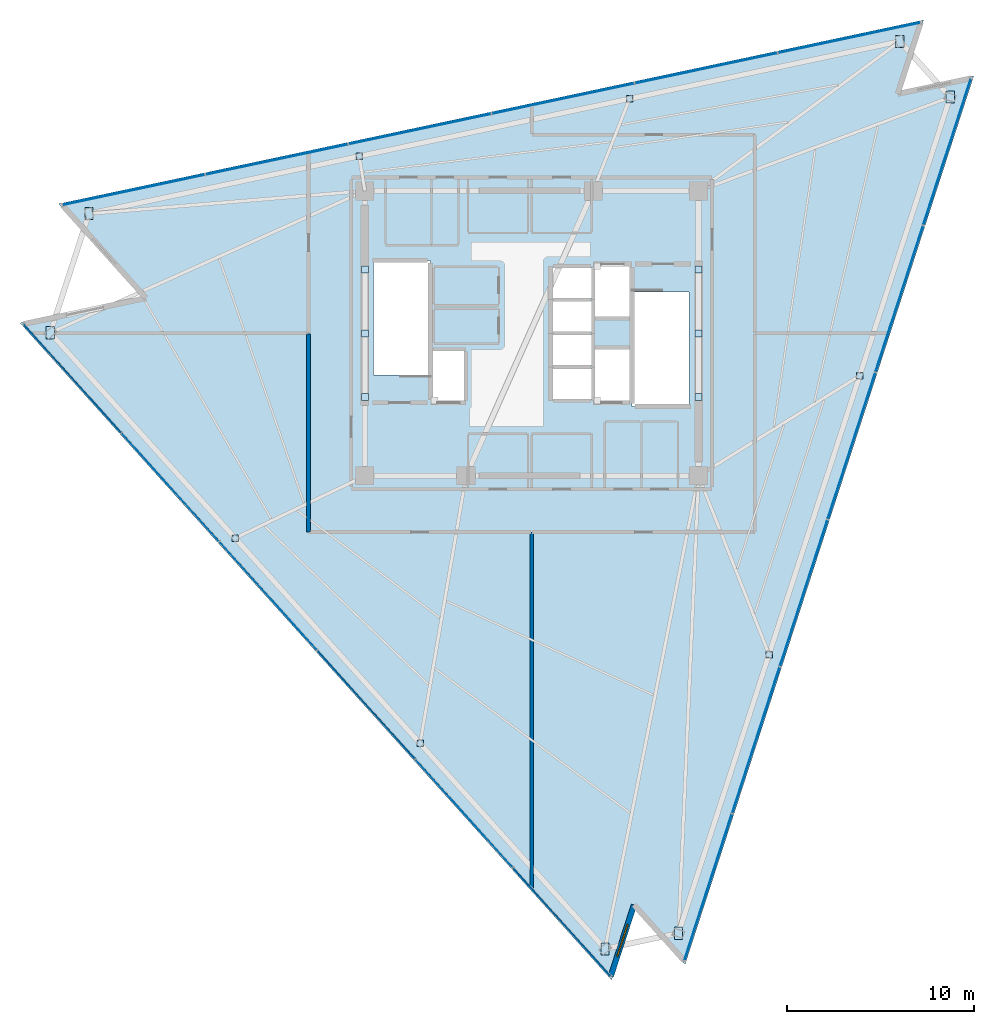
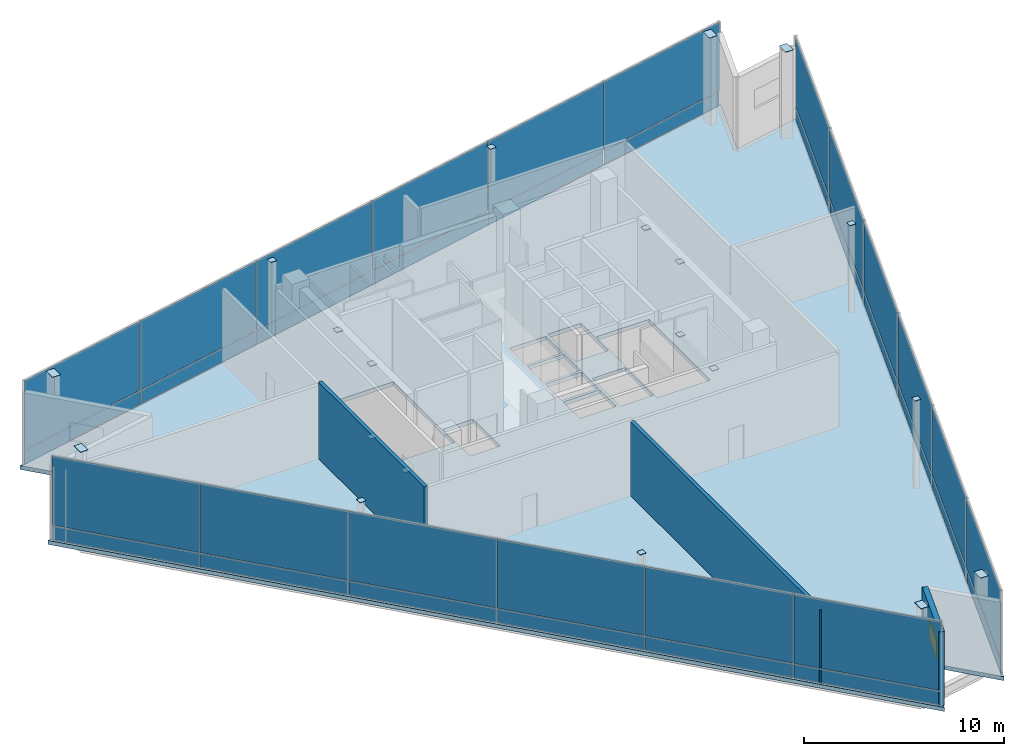
# One storey, part 10 of 14: 56 plates, 3 walls, 1 slab, 1 window, 1 opening, 3 elements without a shape of their own.
"""IFC4 building model written with IfcOpenShell, lengths in metres."""

from ifc_helpers import new_model, si_unit, direction, frame, frame_2d, origin, origin_2d, place, context, subcontext, project, spatial, polyline, rectangle, outline, extrude, material, layer, layer_set, type_object, element, fill, aggregate, save


model = new_model("IFC4")

# Units and contexts
model_context = context("Model", 3, precision=1e-05, world=origin(), true_north=direction((0.0, 1.0)))
body_context = subcontext(model_context, "Body", "Model", "MODEL_VIEW")
ifc_project = project(units=[si_unit("LENGTHUNIT", "METRE"), si_unit("AREAUNIT", "SQUARE_METRE"), si_unit("VOLUMEUNIT", "CUBIC_METRE"), si_unit("PLANEANGLEUNIT", "RADIAN"), si_unit("MASSUNIT", "GRAM", prefix="KILO")], contexts=[model_context])

# Site, building, storey
site_placement = place(None, origin())
site = spatial("IfcSite", under=ifc_project, at=site_placement, CompositionType="ELEMENT")
building_placement = place(site_placement, origin())
building = spatial("IfcBuilding", under=site, at=building_placement, Name="Tharavind Bronze Gate", CompositionType="ELEMENT")
storey_placement = place(building_placement, frame((0.0, 0.0, 310.85009765625)))
storey = spatial("IfcBuildingStorey", under=building, at=storey_placement, Name="L80", CompositionType="ELEMENT", Elevation=310.85009765625)

# Curtain wall, plates
ifc_material_1 = material(Name="Anodised Bronze Aluminium", Category="aluminium")
ifc_layer_1 = layer(ifc_material_1, 0.219970703125)
ifc_layer_set_1 = layer_set([ifc_layer_1], Name="Anodised Bronze Aluminium")
curtain_wall_type = type_object("IfcCurtainWallType", Name="UNITISED CURTAIN WALL CROWN", PredefinedType="USERDEFINED", material=ifc_layer_set_1)
curtain_wall_1_placement = place(storey_placement, origin())
curtain_wall_1 = element("IfcCurtainWall", 1, at=curtain_wall_1_placement, inside=storey, type_object=curtain_wall_type, Name="L80 unitised curtain wall crown CW-L80-S1", ObjectType="UNITISED CURTAIN WALL", PredefinedType="USERDEFINED")
ifc_material_2 = material(Name="Patinated Bronze Alloy Sheet", Category="bronze")
ifc_layer_2 = layer(ifc_material_2, 0.01611328125)
ifc_layer_set_2 = layer_set([ifc_layer_2], Name="Patinated Bronze Alloy Sheet")
plate_type_1 = type_object("IfcPlateType", Name="BRONZE SPANDREL CLADDING PANEL 16", PredefinedType="CURTAIN_PANEL", material=ifc_layer_set_2)
plate_1_placement = place(storey_placement, frame((-24.494873046875, -2.404052734375, 0.0263671875), z_axis=(0.0, 0.0, 1.0), x_axis=(0.669130606359, -0.743144825477, 0.0)))
plate_1 = element("IfcPlate", 2, at=plate_1_placement, type_object=plate_type_1, Name="CW-L80-S1 bronze spandrel panel 1", PredefinedType="CURTAIN_PANEL", context=body_context, shape_type="SweptSolid", body=[
    extrude(rectangle(XDim=7.749755859375, YDim=0.01611328125, at=origin_2d()), origin(), (0.0, 0.0, 1.0), 0.846923828125),
])
plate_2_placement = place(storey_placement, frame((-19.273681640625, -8.20263671875, 0.0263671875), z_axis=(0.0, 0.0, 1.0), x_axis=(0.669130606359, -0.743144825477, 0.0)))
plate_2 = element("IfcPlate", 3, at=plate_2_placement, type_object=plate_type_1, Name="CW-L80-S1 bronze spandrel panel 2", PredefinedType="CURTAIN_PANEL", context=body_context, shape_type="SweptSolid", body=[
    extrude(rectangle(XDim=7.749755859375, YDim=0.01611328125, at=origin_2d()), origin(), (0.0, 0.0, 1.0), 0.846923828125),
])
plate_3_placement = place(storey_placement, frame((-14.052734375, -14.001220703125, 0.0263671875), z_axis=(0.0, 0.0, 1.0), x_axis=(0.669130606359, -0.743144825477, 0.0)))
plate_3 = element("IfcPlate", 4, at=plate_3_placement, type_object=plate_type_1, Name="CW-L80-S1 bronze spandrel panel 3", PredefinedType="CURTAIN_PANEL", context=body_context, shape_type="SweptSolid", body=[
    extrude(rectangle(XDim=7.749755859375, YDim=0.01611328125, at=origin_2d()), origin(), (0.0, 0.0, 1.0), 0.846923828125),
])
plate_4_placement = place(storey_placement, frame((-8.831787109375, -19.7998046875, 0.0263671875), z_axis=(0.0, 0.0, 1.0), x_axis=(0.669130606359, -0.743144825477, 0.0)))
plate_4 = element("IfcPlate", 5, at=plate_4_placement, type_object=plate_type_1, Name="CW-L80-S1 bronze spandrel panel 4", PredefinedType="CURTAIN_PANEL", context=body_context, shape_type="SweptSolid", body=[
    extrude(rectangle(XDim=7.749755859375, YDim=0.01611328125, at=origin_2d()), origin(), (0.0, 0.0, 1.0), 0.846923828125),
])
plate_5_placement = place(storey_placement, frame((-3.610595703125, -25.59814453125, 0.0263671875), z_axis=(0.0, 0.0, 1.0), x_axis=(0.669130606359, -0.743144825477, 0.0)))
plate_5 = element("IfcPlate", 6, at=plate_5_placement, type_object=plate_type_1, Name="CW-L80-S1 bronze spandrel panel 5", PredefinedType="CURTAIN_PANEL", context=body_context, shape_type="SweptSolid", body=[
    extrude(rectangle(XDim=7.749755859375, YDim=0.01611328125, at=origin_2d()), origin(), (0.0, 0.0, 1.0), 0.846923828125),
])
plate_6_placement = place(storey_placement, frame((1.6103515625, -31.396728515625, 0.0263671875), z_axis=(0.0, 0.0, 1.0), x_axis=(0.669130606359, -0.743144825477, 0.0)))
plate_6 = element("IfcPlate", 7, at=plate_6_placement, type_object=plate_type_1, Name="CW-L80-S1 bronze spandrel panel 6", PredefinedType="CURTAIN_PANEL", context=body_context, shape_type="SweptSolid", body=[
    extrude(rectangle(XDim=7.749755859375, YDim=0.01611328125, at=origin_2d()), origin(), (0.0, 0.0, 1.0), 0.846923828125),
])

curtain_wall_2_placement = place(storey_placement, origin())
curtain_wall_2 = element("IfcCurtainWall", 8, at=curtain_wall_2_placement, inside=storey, type_object=curtain_wall_type, Name="L80 unitised curtain wall crown CW-L80-S2", ObjectType="UNITISED CURTAIN WALL", PredefinedType="USERDEFINED")
plate_7_placement = place(storey_placement, frame((9.41552734375, -29.54052734375, 0.0263671875), z_axis=(0.0, 0.0, 1.0), x_axis=(0.309016994375, 0.951056516295, 0.0)))
plate_7 = element("IfcPlate", 9, at=plate_7_placement, type_object=plate_type_1, Name="CW-L80-S2 bronze spandrel panel 1", PredefinedType="CURTAIN_PANEL", context=body_context, shape_type="SweptSolid", body=[
    extrude(rectangle(XDim=8.195068359375, YDim=0.01611328125, at=origin_2d()), origin(), (0.0, 0.0, 1.0), 0.846923828125),
])
plate_8_placement = place(storey_placement, frame((11.96435546875, -21.6962890625, 0.0263671875), z_axis=(0.0, 0.0, 1.0), x_axis=(0.309016994375, 0.951056516295, 0.0)))
plate_8 = element("IfcPlate", 10, at=plate_8_placement, type_object=plate_type_1, Name="CW-L80-S2 bronze spandrel panel 2", PredefinedType="CURTAIN_PANEL", context=body_context, shape_type="SweptSolid", body=[
    extrude(rectangle(XDim=8.195068359375, YDim=0.01611328125, at=origin_2d()), origin(), (0.0, 0.0, 1.0), 0.846923828125),
])
plate_9_placement = place(storey_placement, frame((14.51318359375, -13.851806640625, 0.0263671875), z_axis=(0.0, 0.0, 1.0), x_axis=(0.309016994375, 0.951056516295, 0.0)))
plate_9 = element("IfcPlate", 11, at=plate_9_placement, type_object=plate_type_1, Name="CW-L80-S2 bronze spandrel panel 3", PredefinedType="CURTAIN_PANEL", context=body_context, shape_type="SweptSolid", body=[
    extrude(rectangle(XDim=8.195068359375, YDim=0.01611328125, at=origin_2d()), origin(), (0.0, 0.0, 1.0), 0.846923828125),
])
plate_10_placement = place(storey_placement, frame((17.06201171875, -6.007568359375, 0.0263671875), z_axis=(0.0, 0.0, 1.0), x_axis=(0.309016994375, 0.951056516295, 0.0)))
plate_10 = element("IfcPlate", 12, at=plate_10_placement, type_object=plate_type_1, Name="CW-L80-S2 bronze spandrel panel 4", PredefinedType="CURTAIN_PANEL", context=body_context, shape_type="SweptSolid", body=[
    extrude(rectangle(XDim=8.195068359375, YDim=0.01611328125, at=origin_2d()), origin(), (0.0, 0.0, 1.0), 0.846923828125),
])
plate_11_placement = place(storey_placement, frame((19.610595703125, 1.8369140625, 0.0263671875), z_axis=(0.0, 0.0, 1.0), x_axis=(0.309016994375, 0.951056516295, 0.0)))
plate_11 = element("IfcPlate", 13, at=plate_11_placement, type_object=plate_type_1, Name="CW-L80-S2 bronze spandrel panel 5", PredefinedType="CURTAIN_PANEL", context=body_context, shape_type="SweptSolid", body=[
    extrude(rectangle(XDim=8.195068359375, YDim=0.01611328125, at=origin_2d()), origin(), (0.0, 0.0, 1.0), 0.846923828125),
])
plate_12_placement = place(storey_placement, frame((22.159423828125, 9.68115234375, 0.0263671875), z_axis=(0.0, 0.0, 1.0), x_axis=(0.309016994375, 0.951056516295, 0.0)))
plate_12 = element("IfcPlate", 14, at=plate_12_placement, type_object=plate_type_1, Name="CW-L80-S2 bronze spandrel panel 6", PredefinedType="CURTAIN_PANEL", context=body_context, shape_type="SweptSolid", body=[
    extrude(rectangle(XDim=8.195068359375, YDim=0.01611328125, at=origin_2d()), origin(), (0.0, 0.0, 1.0), 0.846923828125),
])

curtain_wall_3_placement = place(storey_placement, origin())
curtain_wall_3 = element("IfcCurtainWall", 15, at=curtain_wall_3_placement, inside=storey, type_object=curtain_wall_type, Name="L80 unitised curtain wall crown CW-L80-S3", ObjectType="UNITISED CURTAIN WALL", PredefinedType="USERDEFINED")
plate_13_placement = place(storey_placement, frame((16.935791015625, 15.770751953125, 0.0263671875), z_axis=(0.0, 0.0, 1.0), x_axis=(-0.978147237858, -0.207913398007, 0.0)))
plate_13 = element("IfcPlate", 16, at=plate_13_placement, type_object=plate_type_1, Name="CW-L80-S3 bronze spandrel panel 1", PredefinedType="CURTAIN_PANEL", context=body_context, shape_type="SweptSolid", body=[
    extrude(rectangle(XDim=7.749755859375, YDim=0.01611328125, at=origin_2d()), origin(), (0.0, 0.0, 1.0), 0.846923828125),
])
plate_14_placement = place(storey_placement, frame((9.3037109375, 14.1484375, 0.0263671875), z_axis=(0.0, 0.0, 1.0), x_axis=(-0.978147237858, -0.207913398007, 0.0)))
plate_14 = element("IfcPlate", 17, at=plate_14_placement, type_object=plate_type_1, Name="CW-L80-S3 bronze spandrel panel 2", PredefinedType="CURTAIN_PANEL", context=body_context, shape_type="SweptSolid", body=[
    extrude(rectangle(XDim=7.749755859375, YDim=0.01611328125, at=origin_2d()), origin(), (0.0, 0.0, 1.0), 0.846923828125),
])
plate_15_placement = place(storey_placement, frame((1.67138671875, 12.526123046875, 0.0263671875), z_axis=(0.0, 0.0, 1.0), x_axis=(-0.978147237858, -0.207913398007, 0.0)))
plate_15 = element("IfcPlate", 18, at=plate_15_placement, type_object=plate_type_1, Name="CW-L80-S3 bronze spandrel panel 3", PredefinedType="CURTAIN_PANEL", context=body_context, shape_type="SweptSolid", body=[
    extrude(rectangle(XDim=7.749755859375, YDim=0.01611328125, at=origin_2d()), origin(), (0.0, 0.0, 1.0), 0.846923828125),
])
plate_16_placement = place(storey_placement, frame((-5.960693359375, 10.90380859375, 0.0263671875), z_axis=(0.0, 0.0, 1.0), x_axis=(-0.978147237858, -0.207913398007, 0.0)))
plate_16 = element("IfcPlate", 19, at=plate_16_placement, type_object=plate_type_1, Name="CW-L80-S3 bronze spandrel panel 4", PredefinedType="CURTAIN_PANEL", context=body_context, shape_type="SweptSolid", body=[
    extrude(rectangle(XDim=7.749755859375, YDim=0.01611328125, at=origin_2d()), origin(), (0.0, 0.0, 1.0), 0.846923828125),
])
plate_17_placement = place(storey_placement, frame((-13.5927734375, 9.281494140625, 0.0263671875), z_axis=(0.0, 0.0, 1.0), x_axis=(-0.978147237858, -0.207913398007, 0.0)))
plate_17 = element("IfcPlate", 20, at=plate_17_placement, type_object=plate_type_1, Name="CW-L80-S3 bronze spandrel panel 5", PredefinedType="CURTAIN_PANEL", context=body_context, shape_type="SweptSolid", body=[
    extrude(rectangle(XDim=7.749755859375, YDim=0.01611328125, at=origin_2d()), origin(), (0.0, 0.0, 1.0), 0.846923828125),
])
plate_18_placement = place(storey_placement, frame((-21.22509765625, 7.6591796875, 0.0263671875), z_axis=(0.0, 0.0, 1.0), x_axis=(-0.978147237858, -0.207913398007, 0.0)))
plate_18 = element("IfcPlate", 21, at=plate_18_placement, type_object=plate_type_1, Name="CW-L80-S3 bronze spandrel panel 6", PredefinedType="CURTAIN_PANEL", context=body_context, shape_type="SweptSolid", body=[
    extrude(rectangle(XDim=7.749755859375, YDim=0.01611328125, at=origin_2d()), origin(), (0.0, 0.0, 1.0), 0.846923828125),
])

# Plates
ifc_material_3 = material(Name="Steel S460", Category="steel")
ifc_layer_3 = layer(ifc_material_3, 0.02490234375)
ifc_layer_set_3 = layer_set([ifc_layer_3], Name="Steel S460")
plate_type_2 = type_object("IfcPlateType", Name="STEEL END CAP SHEET 25", PredefinedType="SHEET", material=ifc_layer_set_3)
plate_19_placement = place(storey_placement, frame((-25.6787109375, 0.03173828125, 5.387451171875), z_axis=(0.0, 0.0, 1.0), x_axis=(1.0, 0.0, 0.0)))
element("IfcPlate", 22, at=plate_19_placement, inside=storey, type_object=plate_type_2, Name="Steel end cap plate CAP-COLT-L80-S1C1", PredefinedType="SHEET", context=body_context, shape_type="SweptSolid", body=[
    extrude(rectangle(XDim=0.445068359375, YDim=0.64501953125, at=origin_2d()), origin(), (0.0, 0.0, 1.0), 0.02490234375),
])
for number, where, z_axis, x_axis, name in (
    (23, (-15.816162109375, -10.921875, 5.387451171875), (0.0, 0.0, 1.0), (1.0, 0.0, 0.0), "Steel end cap plate CAP-COLT-L80-S1C2"),
    (24, (-5.95361328125, -21.875244140625, 5.387451171875), (0.0, 0.0, 1.0), (1.0, 0.0, 0.0), "Steel end cap plate CAP-COLT-L80-S1C3"),
):
    element("IfcPlate", number, at=place(storey_placement, frame(where, z_axis=z_axis, x_axis=x_axis)), inside=storey, type_object=plate_type_2, Name=name, PredefinedType="SHEET", context=body_context, shape_type="SweptSolid", body=[
        extrude(rectangle(XDim=0.344970703125, YDim=0.344970703125, at=origin_2d()), origin(), (0.0, 0.0, 1.0), 0.02490234375),
    ])
for number, where, z_axis, x_axis, name in (
    (25, (3.908935546875, -32.82861328125, 5.387451171875), (0.0, 0.0, 1.0), (1.0, 0.0, 0.0), "Steel end cap plate CAP-COLT-L80-S1C4"),
    (26, (7.829345703125, -31.99560546875, 5.387451171875), (0.0, 0.0, 1.0), (1.0, 0.0, 0.0), "Steel end cap plate CAP-COLT-L80-S2C1"),
):
    element("IfcPlate", number, at=place(storey_placement, frame(where, z_axis=z_axis, x_axis=x_axis)), inside=storey, type_object=plate_type_2, Name=name, PredefinedType="SHEET", context=body_context, shape_type="SweptSolid", body=[
        extrude(rectangle(XDim=0.445068359375, YDim=0.64501953125, at=origin_2d()), origin(), (0.0, 0.0, 1.0), 0.02490234375),
    ])
for number, where, z_axis, x_axis, name in (
    (27, (12.6591796875, -17.130615234375, 5.387451171875), (0.0, 0.0, 1.0), (1.0, 0.0, 0.0), "Steel end cap plate CAP-COLT-L80-S2C2"),
    (28, (17.4892578125, -2.265380859375, 5.387451171875), (0.0, 0.0, 1.0), (1.0, 0.0, 0.0), "Steel end cap plate CAP-COLT-L80-S2C3"),
):
    element("IfcPlate", number, at=place(storey_placement, frame(where, z_axis=z_axis, x_axis=x_axis)), inside=storey, type_object=plate_type_2, Name=name, PredefinedType="SHEET", context=body_context, shape_type="SweptSolid", body=[
        extrude(rectangle(XDim=0.344970703125, YDim=0.344970703125, at=origin_2d()), origin(), (0.0, 0.0, 1.0), 0.02490234375),
    ])
for number, where, z_axis, x_axis, name in (
    (29, (22.319091796875, 12.599609375, 5.387451171875), (0.0, 0.0, 1.0), (1.0, 0.0, 0.0), "Steel end cap plate CAP-COLT-L80-S2C4"),
    (30, (19.63720703125, 15.578125, 5.387451171875), (0.0, 0.0, 1.0), (1.0, 0.0, 0.0), "Steel end cap plate CAP-COLT-L80-S3C1"),
):
    element("IfcPlate", number, at=place(storey_placement, frame(where, z_axis=z_axis, x_axis=x_axis)), inside=storey, type_object=plate_type_2, Name=name, PredefinedType="SHEET", context=body_context, shape_type="SweptSolid", body=[
        extrude(rectangle(XDim=0.445068359375, YDim=0.64501953125, at=origin_2d()), origin(), (0.0, 0.0, 1.0), 0.02490234375),
    ])
for number, where, z_axis, x_axis, name in (
    (31, (5.219970703125, 12.513671875, 5.387451171875), (0.0, 0.0, 1.0), (1.0, 0.0, 0.0), "Steel end cap plate CAP-COLT-L80-S3C2"),
    (32, (-9.197265625, 9.44921875, 5.387451171875), (0.0, 0.0, 1.0), (1.0, 0.0, 0.0), "Steel end cap plate CAP-COLT-L80-S3C3"),
):
    element("IfcPlate", number, at=place(storey_placement, frame(where, z_axis=z_axis, x_axis=x_axis)), inside=storey, type_object=plate_type_2, Name=name, PredefinedType="SHEET", context=body_context, shape_type="SweptSolid", body=[
        extrude(rectangle(XDim=0.344970703125, YDim=0.344970703125, at=origin_2d()), origin(), (0.0, 0.0, 1.0), 0.02490234375),
    ])
plate_20_placement = place(storey_placement, frame((-23.614501953125, 6.384765625, 5.387451171875), z_axis=(0.0, 0.0, 1.0), x_axis=(1.0, 0.0, 0.0)))
element("IfcPlate", 33, at=plate_20_placement, inside=storey, type_object=plate_type_2, Name="Steel end cap plate CAP-COLT-L80-S3C4", PredefinedType="SHEET", context=body_context, shape_type="SweptSolid", body=[
    extrude(rectangle(XDim=0.445068359375, YDim=0.64501953125, at=origin_2d()), origin(), (0.0, 0.0, 1.0), 0.02490234375),
])
ifc_material_4 = material(Name="Steel S355", Category="steel")
ifc_layer_4 = layer(ifc_material_4, 0.02490234375)
ifc_layer_set_4 = layer_set([ifc_layer_4], Name="Steel S355")
plate_type_3 = type_object("IfcPlateType", Name="STEEL END CAP SHEET S355 25", PredefinedType="SHEET", material=ifc_layer_set_4)
for number, where, z_axis, x_axis, name in (
    (34, (-8.89990234375, -3.39990234375, 0.237548828125), (0.0, 0.0, 1.0), (1.0, 0.0, 0.0), "Steel end cap plate CAP-L80-CBR1A"),
    (35, (-8.89990234375, 0.0, 4.6875), (0.0, 0.0, 1.0), (1.0, 0.0, 0.0), "Steel end cap plate CAP-L80-CBR1B"),
    (36, (-8.89990234375, 0.0, 0.237548828125), (0.0, 0.0, 1.0), (1.0, 0.0, 0.0), "Steel end cap plate CAP-L80-CBR2A"),
    (37, (-8.89990234375, 3.39990234375, 4.6875), (0.0, 0.0, 1.0), (1.0, 0.0, 0.0), "Steel end cap plate CAP-L80-CBR2B"),
    (38, (8.89990234375, -3.39990234375, 0.237548828125), (0.0, 0.0, 1.0), (1.0, 0.0, 0.0), "Steel end cap plate CAP-L80-CBR3A"),
    (39, (8.89990234375, 0.0, 4.6875), (0.0, 0.0, 1.0), (1.0, 0.0, 0.0), "Steel end cap plate CAP-L80-CBR3B"),
    (40, (8.89990234375, 0.0, 0.237548828125), (0.0, 0.0, 1.0), (1.0, 0.0, 0.0), "Steel end cap plate CAP-L80-CBR4A"),
    (41, (8.89990234375, 3.39990234375, 4.6875), (0.0, 0.0, 1.0), (1.0, 0.0, 0.0), "Steel end cap plate CAP-L80-CBR4B"),
):
    element("IfcPlate", number, at=place(storey_placement, frame(where, z_axis=z_axis, x_axis=x_axis)), inside=storey, type_object=plate_type_3, Name=name, PredefinedType="SHEET", context=body_context, shape_type="SweptSolid", body=[
        extrude(rectangle(XDim=0.368896484375, YDim=0.368896484375, at=origin_2d()), origin(), (0.0, 0.0, 1.0), 0.02490234375),
    ])

# Slab
ifc_material_5 = material(Name="Concrete C40/50", Category="concrete")
ifc_layer_5 = layer(ifc_material_5, 0.239990234375)
ifc_layer_set_5 = layer_set([ifc_layer_5], Name="Concrete C40/50")
slab_type = type_object("IfcSlabType", Name="STRUCTURAL FLOOR SLAB 240", PredefinedType="FLOOR", material=ifc_layer_set_5)
slab_placement = place(storey_placement, frame((0.0, 0.0, -0.239990234375)))
element("IfcSlab", 42, at=slab_placement, inside=storey, type_object=slab_type, Name="L80 main structural floor slab", PredefinedType="FLOOR", context=body_context, shape_type="SweptSolid", body=[
    extrude(outline(polyline([(-25.231201171875, 6.909912109375), (-20.761474609375, 1.94580078125), (-27.29541015625, 0.556884765625), (4.262451171875, -34.49169921875), (5.5009765625, -30.6796875), (8.182861328125, -33.658203125), (23.58251953125, 13.737060546875), (19.662109375, 12.90380859375), (20.900634765625, 16.7158203125), (-25.231201171875, 6.909912109375)]), holes=[polyline([(-5.39990234375, -2.215087890625), (-5.39990234375, 3.89990234375), (-8.449951171875, 3.89990234375), (-8.449951171875, -2.215087890625), (-5.39990234375, -2.215087890625)]), polyline([(5.35009765625, 2.215087890625), (5.35009765625, -3.89990234375), (8.39990234375, -3.89990234375), (8.39990234375, 2.215087890625), (5.35009765625, 2.215087890625)]), polyline([(1.080078125, -3.52001953125), (3.199951171875, -3.52001953125), (3.199951171875, -1.8798828125), (1.080078125, -1.8798828125), (1.080078125, -3.52001953125)]), polyline([(1.080078125, -1.719970703125), (3.199951171875, -1.719970703125), (3.199951171875, -0.080078125), (1.080078125, -0.080078125), (1.080078125, -1.719970703125)]), polyline([(1.080078125, 0.080078125), (3.199951171875, 0.080078125), (3.199951171875, 1.719970703125), (1.080078125, 1.719970703125), (1.080078125, 0.080078125)]), polyline([(1.080078125, 1.8798828125), (3.199951171875, 1.8798828125), (3.199951171875, 3.52001953125), (1.080078125, 3.52001953125), (1.080078125, 1.8798828125)]), polyline([(-5.320068359375, -3.6201171875), (-3.580078125, -3.6201171875), (-3.580078125, -0.929931640625), (-5.320068359375, -0.929931640625), (-5.320068359375, -3.6201171875)]), polyline([(3.360107421875, 0.8798828125), (5.27001953125, 0.8798828125), (5.27001953125, 3.6201171875), (3.360107421875, 3.6201171875), (3.360107421875, 0.8798828125)]), polyline([(3.360107421875, -3.6201171875), (5.27001953125, -3.6201171875), (5.27001953125, -0.830078125), (3.360107421875, -0.830078125), (3.360107421875, -3.6201171875)])]), origin(), (0.0, 0.0, 1.0), 0.239990234375),
])

# Plate
ifc_material_6 = material(Name="Triple Solar Control Glazing", Category="glass")
ifc_layer_6 = layer(ifc_material_6, 0.0439453125)
ifc_layer_set_6 = layer_set([ifc_layer_6], Name="Triple Solar Control Glazing")
plate_type_4 = type_object("IfcPlateType", Name="TRIPLE GLAZED FACADE PANEL 44", PredefinedType="CURTAIN_PANEL", material=ifc_layer_set_6)
plate_21_placement = place(storey_placement, frame((-24.494873046875, -2.404052734375, 0.92626953125), z_axis=(0.0, 0.0, 1.0), x_axis=(0.669130606359, -0.743144825477, 0.0)))
plate_21 = element("IfcPlate", 43, at=plate_21_placement, type_object=plate_type_4, Name="CW-L80-S1 vision glazing panel 1", PredefinedType="CURTAIN_PANEL", context=body_context, shape_type="SweptSolid", body=[
    extrude(rectangle(XDim=7.749755859375, YDim=0.0439453125, at=origin_2d()), origin(), (0.0, 0.0, 1.0), 4.22705078125),
])

plate_22_placement = place(storey_placement, frame((-19.273681640625, -8.20263671875, 0.92626953125), z_axis=(0.0, 0.0, 1.0), x_axis=(0.669130606359, -0.743144825477, 0.0)))
plate_22 = element("IfcPlate", 44, at=plate_22_placement, type_object=plate_type_4, Name="CW-L80-S1 vision glazing panel 2", PredefinedType="CURTAIN_PANEL", context=body_context, shape_type="SweptSolid", body=[
    extrude(rectangle(XDim=7.749755859375, YDim=0.0439453125, at=origin_2d()), origin(), (0.0, 0.0, 1.0), 4.22705078125),
])

plate_23_placement = place(storey_placement, frame((-14.052734375, -14.001220703125, 0.92626953125), z_axis=(0.0, 0.0, 1.0), x_axis=(0.669130606359, -0.743144825477, 0.0)))
plate_23 = element("IfcPlate", 45, at=plate_23_placement, type_object=plate_type_4, Name="CW-L80-S1 vision glazing panel 3", PredefinedType="CURTAIN_PANEL", context=body_context, shape_type="SweptSolid", body=[
    extrude(rectangle(XDim=7.749755859375, YDim=0.0439453125, at=origin_2d()), origin(), (0.0, 0.0, 1.0), 4.22705078125),
])

plate_24_placement = place(storey_placement, frame((-8.831787109375, -19.7998046875, 0.92626953125), z_axis=(0.0, 0.0, 1.0), x_axis=(0.669130606359, -0.743144825477, 0.0)))
plate_24 = element("IfcPlate", 46, at=plate_24_placement, type_object=plate_type_4, Name="CW-L80-S1 vision glazing panel 4", PredefinedType="CURTAIN_PANEL", context=body_context, shape_type="SweptSolid", body=[
    extrude(rectangle(XDim=7.749755859375, YDim=0.0439453125, at=origin_2d()), origin(), (0.0, 0.0, 1.0), 4.22705078125),
])

plate_25_placement = place(storey_placement, frame((-3.610595703125, -25.59814453125, 0.92626953125), z_axis=(0.0, 0.0, 1.0), x_axis=(0.669130606359, -0.743144825477, 0.0)))
plate_25 = element("IfcPlate", 47, at=plate_25_placement, type_object=plate_type_4, Name="CW-L80-S1 vision glazing panel 5", PredefinedType="CURTAIN_PANEL", context=body_context, shape_type="SweptSolid", body=[
    extrude(rectangle(XDim=7.749755859375, YDim=0.0439453125, at=origin_2d()), origin(), (0.0, 0.0, 1.0), 4.22705078125),
])

plate_26_placement = place(storey_placement, frame((1.6103515625, -31.396728515625, 0.92626953125), z_axis=(0.0, 0.0, 1.0), x_axis=(0.669130606359, -0.743144825477, 0.0)))
plate_26 = element("IfcPlate", 48, at=plate_26_placement, type_object=plate_type_4, Name="CW-L80-S1 vision glazing panel 6", PredefinedType="CURTAIN_PANEL", context=body_context, shape_type="SweptSolid", body=[
    extrude(rectangle(XDim=7.749755859375, YDim=0.0439453125, at=origin_2d()), origin(), (0.0, 0.0, 1.0), 4.22705078125),
])

aggregate(curtain_wall_1, [plate_1, plate_21, plate_2, plate_22, plate_3, plate_23, plate_4, plate_24, plate_5, plate_25, plate_6, plate_26])

plate_27_placement = place(storey_placement, frame((9.41552734375, -29.54052734375, 0.92626953125), z_axis=(0.0, 0.0, 1.0), x_axis=(0.309016994375, 0.951056516295, 0.0)))
plate_27 = element("IfcPlate", 49, at=plate_27_placement, type_object=plate_type_4, Name="CW-L80-S2 vision glazing panel 1", PredefinedType="CURTAIN_PANEL", context=body_context, shape_type="SweptSolid", body=[
    extrude(rectangle(XDim=8.195068359375, YDim=0.0439453125, at=origin_2d()), origin(), (0.0, 0.0, 1.0), 4.22705078125),
])

plate_28_placement = place(storey_placement, frame((11.96435546875, -21.6962890625, 0.92626953125), z_axis=(0.0, 0.0, 1.0), x_axis=(0.309016994375, 0.951056516295, 0.0)))
plate_28 = element("IfcPlate", 50, at=plate_28_placement, type_object=plate_type_4, Name="CW-L80-S2 vision glazing panel 2", PredefinedType="CURTAIN_PANEL", context=body_context, shape_type="SweptSolid", body=[
    extrude(rectangle(XDim=8.195068359375, YDim=0.0439453125, at=origin_2d()), origin(), (0.0, 0.0, 1.0), 4.22705078125),
])

plate_29_placement = place(storey_placement, frame((14.51318359375, -13.851806640625, 0.92626953125), z_axis=(0.0, 0.0, 1.0), x_axis=(0.309016994375, 0.951056516295, 0.0)))
plate_29 = element("IfcPlate", 51, at=plate_29_placement, type_object=plate_type_4, Name="CW-L80-S2 vision glazing panel 3", PredefinedType="CURTAIN_PANEL", context=body_context, shape_type="SweptSolid", body=[
    extrude(rectangle(XDim=8.195068359375, YDim=0.0439453125, at=origin_2d()), origin(), (0.0, 0.0, 1.0), 4.22705078125),
])

plate_30_placement = place(storey_placement, frame((17.06201171875, -6.007568359375, 0.92626953125), z_axis=(0.0, 0.0, 1.0), x_axis=(0.309016994375, 0.951056516295, 0.0)))
plate_30 = element("IfcPlate", 52, at=plate_30_placement, type_object=plate_type_4, Name="CW-L80-S2 vision glazing panel 4", PredefinedType="CURTAIN_PANEL", context=body_context, shape_type="SweptSolid", body=[
    extrude(rectangle(XDim=8.195068359375, YDim=0.0439453125, at=origin_2d()), origin(), (0.0, 0.0, 1.0), 4.22705078125),
])

plate_31_placement = place(storey_placement, frame((19.610595703125, 1.8369140625, 0.92626953125), z_axis=(0.0, 0.0, 1.0), x_axis=(0.309016994375, 0.951056516295, 0.0)))
plate_31 = element("IfcPlate", 53, at=plate_31_placement, type_object=plate_type_4, Name="CW-L80-S2 vision glazing panel 5", PredefinedType="CURTAIN_PANEL", context=body_context, shape_type="SweptSolid", body=[
    extrude(rectangle(XDim=8.195068359375, YDim=0.0439453125, at=origin_2d()), origin(), (0.0, 0.0, 1.0), 4.22705078125),
])

plate_32_placement = place(storey_placement, frame((22.159423828125, 9.68115234375, 0.92626953125), z_axis=(0.0, 0.0, 1.0), x_axis=(0.309016994375, 0.951056516295, 0.0)))
plate_32 = element("IfcPlate", 54, at=plate_32_placement, type_object=plate_type_4, Name="CW-L80-S2 vision glazing panel 6", PredefinedType="CURTAIN_PANEL", context=body_context, shape_type="SweptSolid", body=[
    extrude(rectangle(XDim=8.195068359375, YDim=0.0439453125, at=origin_2d()), origin(), (0.0, 0.0, 1.0), 4.22705078125),
])

aggregate(curtain_wall_2, [plate_7, plate_27, plate_8, plate_28, plate_9, plate_29, plate_10, plate_30, plate_11, plate_31, plate_12, plate_32])

plate_33_placement = place(storey_placement, frame((16.935791015625, 15.770751953125, 0.92626953125), z_axis=(0.0, 0.0, 1.0), x_axis=(-0.978147237858, -0.207913398007, 0.0)))
plate_33 = element("IfcPlate", 55, at=plate_33_placement, type_object=plate_type_4, Name="CW-L80-S3 vision glazing panel 1", PredefinedType="CURTAIN_PANEL", context=body_context, shape_type="SweptSolid", body=[
    extrude(rectangle(XDim=7.749755859375, YDim=0.0439453125, at=origin_2d()), origin(), (0.0, 0.0, 1.0), 4.22705078125),
])

plate_34_placement = place(storey_placement, frame((9.3037109375, 14.1484375, 0.92626953125), z_axis=(0.0, 0.0, 1.0), x_axis=(-0.978147237858, -0.207913398007, 0.0)))
plate_34 = element("IfcPlate", 56, at=plate_34_placement, type_object=plate_type_4, Name="CW-L80-S3 vision glazing panel 2", PredefinedType="CURTAIN_PANEL", context=body_context, shape_type="SweptSolid", body=[
    extrude(rectangle(XDim=7.749755859375, YDim=0.0439453125, at=origin_2d()), origin(), (0.0, 0.0, 1.0), 4.22705078125),
])

plate_35_placement = place(storey_placement, frame((1.67138671875, 12.526123046875, 0.92626953125), z_axis=(0.0, 0.0, 1.0), x_axis=(-0.978147237858, -0.207913398007, 0.0)))
plate_35 = element("IfcPlate", 57, at=plate_35_placement, type_object=plate_type_4, Name="CW-L80-S3 vision glazing panel 3", PredefinedType="CURTAIN_PANEL", context=body_context, shape_type="SweptSolid", body=[
    extrude(rectangle(XDim=7.749755859375, YDim=0.0439453125, at=origin_2d()), origin(), (0.0, 0.0, 1.0), 4.22705078125),
])

plate_36_placement = place(storey_placement, frame((-5.960693359375, 10.90380859375, 0.92626953125), z_axis=(0.0, 0.0, 1.0), x_axis=(-0.978147237858, -0.207913398007, 0.0)))
plate_36 = element("IfcPlate", 58, at=plate_36_placement, type_object=plate_type_4, Name="CW-L80-S3 vision glazing panel 4", PredefinedType="CURTAIN_PANEL", context=body_context, shape_type="SweptSolid", body=[
    extrude(rectangle(XDim=7.749755859375, YDim=0.0439453125, at=origin_2d()), origin(), (0.0, 0.0, 1.0), 4.22705078125),
])

plate_37_placement = place(storey_placement, frame((-13.5927734375, 9.281494140625, 0.92626953125), z_axis=(0.0, 0.0, 1.0), x_axis=(-0.978147237858, -0.207913398007, 0.0)))
plate_37 = element("IfcPlate", 59, at=plate_37_placement, type_object=plate_type_4, Name="CW-L80-S3 vision glazing panel 5", PredefinedType="CURTAIN_PANEL", context=body_context, shape_type="SweptSolid", body=[
    extrude(rectangle(XDim=7.749755859375, YDim=0.0439453125, at=origin_2d()), origin(), (0.0, 0.0, 1.0), 4.22705078125),
])

plate_38_placement = place(storey_placement, frame((-21.22509765625, 7.6591796875, 0.92626953125), z_axis=(0.0, 0.0, 1.0), x_axis=(-0.978147237858, -0.207913398007, 0.0)))
plate_38 = element("IfcPlate", 60, at=plate_38_placement, type_object=plate_type_4, Name="CW-L80-S3 vision glazing panel 6", PredefinedType="CURTAIN_PANEL", context=body_context, shape_type="SweptSolid", body=[
    extrude(rectangle(XDim=7.749755859375, YDim=0.0439453125, at=origin_2d()), origin(), (0.0, 0.0, 1.0), 4.22705078125),
])

aggregate(curtain_wall_3, [plate_13, plate_33, plate_14, plate_34, plate_15, plate_35, plate_16, plate_36, plate_17, plate_37, plate_18, plate_38])

# Wall, opening, window
ifc_layer_7 = layer(ifc_material_5, 0.300048828125)
ifc_layer_set_7 = layer_set([ifc_layer_7], Name="Concrete C40/50")
wall_type_1 = type_object("IfcWallType", Name="EXTERIOR SPANDREL WALL 300", PredefinedType="STANDARD", material=ifc_layer_set_7)
wall_1_placement = place(storey_placement, frame((4.220703125, -34.2958984375, 0.0), z_axis=(0.0, 0.0, 1.0), x_axis=(0.309018580232, 0.951056001018, 0.0)))
wall_1 = element("IfcWall", 61, at=wall_1_placement, inside=storey, type_object=wall_type_1, Name="L80 notch cheek wall 2A", PredefinedType="STANDARD", context=body_context, shape_type="SweptSolid", body=[
    extrude(rectangle(XDim=4.0078125, YDim=0.300048828125, at=frame_2d((2.00390625, 0.0))), origin(), (0.0, 0.0, 1.0), 4.52490234375),
])
opening_placement = place(wall_1_placement, frame((1.10400390625, 0.0, 2.10009765625)))
opening = element("IfcOpeningElement", 62, at=opening_placement, cuts=wall_1, Name="Opening W07", PredefinedType="OPENING", context=body_context, shape_type="SweptSolid", body=[
    extrude(rectangle(XDim=1.800048828125, YDim=1.14990234375, at=frame_2d((0.89990234375, 0.574951171875))), frame((0.0, 0.15990234375, 0.0), z_axis=(0.0, -1.0, 0.0), x_axis=(1.0, 0.0, 0.0)), (0.0, 0.0, 1.0), 0.320048828125),
])
ifc_material_7 = material(Name="Bronze Aluminium & Low-E Glass", Category="aluminium")
window_type = type_object("IfcWindowType", Name="CROWN CLERESTORY SKYLIGHT 1800X1150", PartitioningType="SINGLE_PANEL", PredefinedType="SKYLIGHT", material=ifc_material_7)
window_placement = place(opening_placement, origin())
window = element("IfcWindow", 63, at=window_placement, inside=storey, type_object=window_type, Name="L80 crown clerestory skylight 2", OverallHeight=1.14990234375, OverallWidth=1.800048828125, PartitioningType="SINGLE_PANEL", PredefinedType="SKYLIGHT", context=body_context, shape_type="SweptSolid", body=[
    extrude(rectangle(XDim=1.800048828125, YDim=1.14990234375, at=frame_2d((0.89990234375, 0.574951171875))), frame((0.0, 0.030029296875, 0.0), z_axis=(0.0, -1.0, 0.0), x_axis=(1.0, 0.0, 0.0)), (0.0, 0.0, 1.0), 0.06005859375),
])
fill(opening, window)

# Walls
ifc_material_8 = material(Name="Aerated Concrete Block", Category="concrete")
ifc_layer_8 = layer(ifc_material_8, 0.199951171875)
ifc_layer_set_8 = layer_set([ifc_layer_8], Name="Aerated Concrete Block")
wall_type_2 = type_object("IfcWallType", Name="FIRE RATED PARTITION 200", PredefinedType="PARTITIONING", material=ifc_layer_set_8)
wall_2_placement = place(storey_placement, frame((-11.89990234375, -0.02490234375, 0.0), z_axis=(0.0, 0.0, 1.0), x_axis=(0.0, -1.0, 0.0)))
element("IfcWall", 64, at=wall_2_placement, inside=storey, type_object=wall_type_2, Name="L80 Crown Lift Machine & Smoke Plant South partition", PredefinedType="PARTITIONING", context=body_context, shape_type="SweptSolid", body=[
    extrude(rectangle(XDim=10.574462890625, YDim=0.199951171875, at=frame_2d((5.287109375, 0.0))), origin(), (0.0, 0.0, 1.0), 4.6748046875),
])
wall_3_placement = place(storey_placement, frame((0.0, -10.625, 0.0), z_axis=(0.0, 0.0, 1.0), x_axis=(0.0, -1.0, 0.0)))
element("IfcWall", 65, at=wall_3_placement, inside=storey, type_object=wall_type_2, Name="L80 Crown Lift Machine & Smoke Plant South partition", PredefinedType="PARTITIONING", context=body_context, shape_type="SweptSolid", body=[
    extrude(rectangle(XDim=18.9833984375, YDim=0.199951171875, at=frame_2d((9.49169921875, 0.0))), origin(), (0.0, 0.0, 1.0), 4.52490234375),
])

save(model, "model.ifc")
